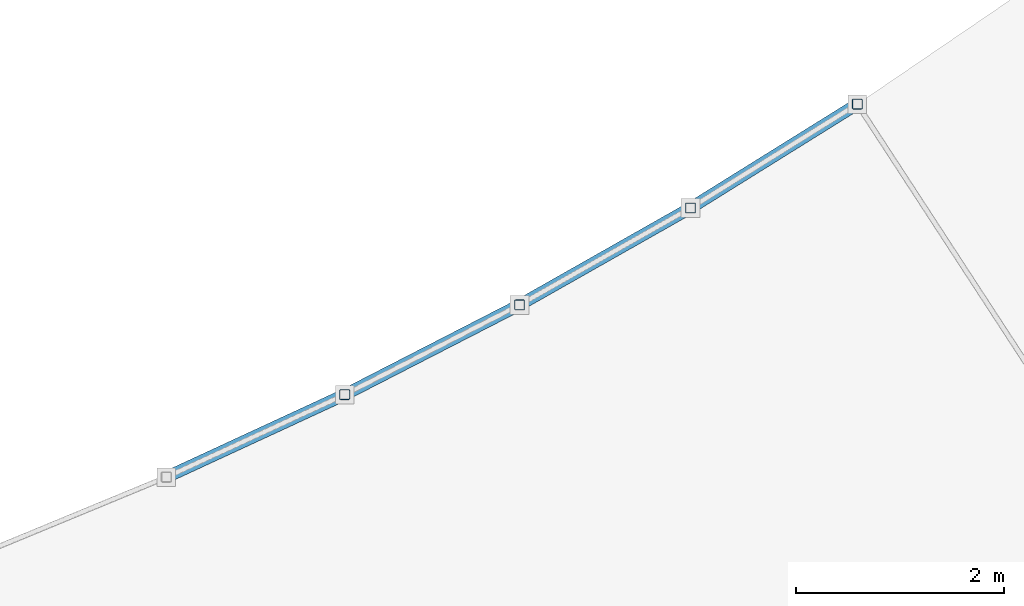
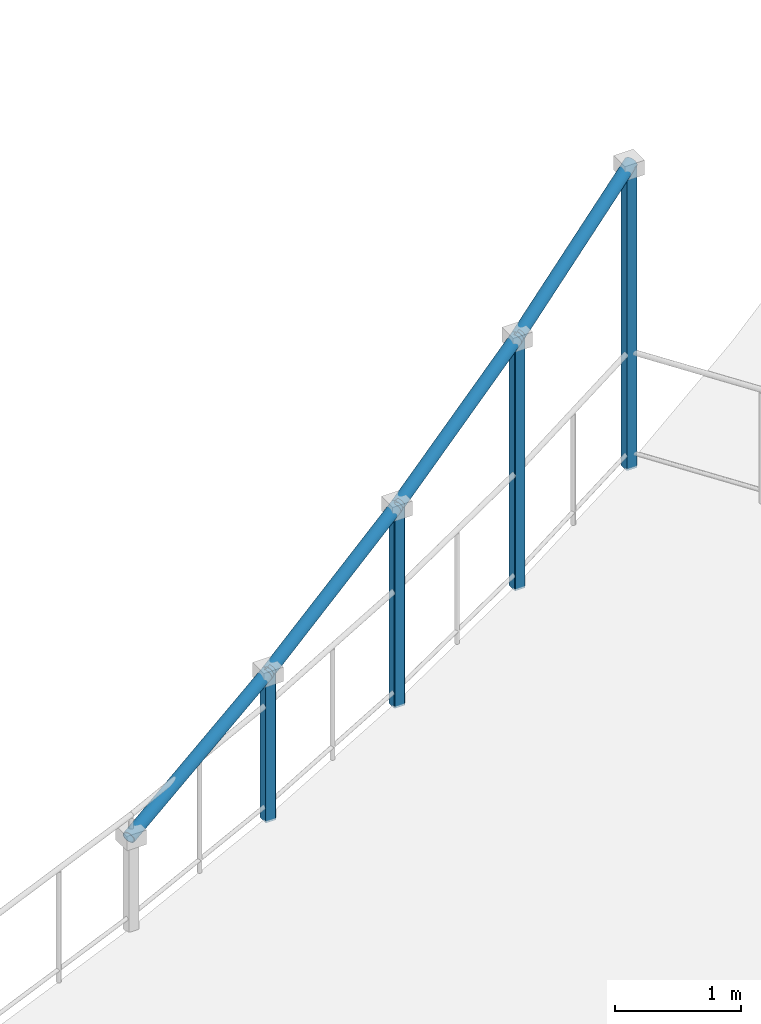
# One storey, part 9 of 58: 8 members.
"""IFC4 building model written with IfcOpenShell, lengths in metres."""

from ifc_helpers import new_model, si_unit, direction, frame, origin, origin_2d, place, context, subcontext, project, spatial, hollow_rectangle, hollow_circle, extrude, material, material_profile, profile_set, type_object, element, save


model = new_model("IFC4")

# Units and contexts
model_context = context("Model", 3, precision=1e-05, world=origin(), true_north=direction((0.0, 1.0)))
body_context = subcontext(model_context, "Body", "Model", "MODEL_VIEW")
ifc_project = project(units=[si_unit("LENGTHUNIT", "METRE"), si_unit("AREAUNIT", "SQUARE_METRE"), si_unit("VOLUMEUNIT", "CUBIC_METRE"), si_unit("PLANEANGLEUNIT", "RADIAN"), si_unit("MASSUNIT", "GRAM", prefix="KILO"), si_unit("POWERUNIT", "WATT"), si_unit("THERMODYNAMICTEMPERATUREUNIT", "KELVIN")], contexts=[model_context])

# Site, building, storey
site_placement = place(None, origin())
site = spatial("IfcSite", under=ifc_project, at=site_placement, CompositionType="ELEMENT")
building_placement = place(site_placement, origin())
building = spatial("IfcBuilding", under=site, at=building_placement, Name="Ruvembo Vaulted Housing Court", CompositionType="ELEMENT")
storey_placement = place(building_placement, frame((0.0, 0.0, 20.5)))
storey = spatial("IfcBuildingStorey", under=building, at=storey_placement, Name="L06", CompositionType="ELEMENT", Elevation=20.5)

# Members
ifc_material = material(Name="Steel S355J2", Category="steel")
ifc_material_profile_1 = material_profile(ifc_material, hollow_rectangle(XDim=0.10009765625, YDim=0.10009765625, WallThickness=0.00634765625, InnerFilletRadius=0.00634765625, OuterFilletRadius=0.0126953125, at=origin_2d()), Name="SHS 100x100x6.3")
ifc_profile_set_1 = profile_set([ifc_material_profile_1], Name="Steel S355J2")
member_type_1 = type_object("IfcMemberType", Name="MEM-FRM-SHS100", PredefinedType="STRUT", material=ifc_profile_set_1)
member_1_placement = place(storey_placement, frame((89.077392578125, 20.835205078125, -0.02001953125), z_axis=(0.0, 0.0, 1.0), x_axis=(1.0, 0.0, 0.0)))
element("IfcMember", 1, at=member_1_placement, inside=storey, type_object=member_type_1, Name="Scoop SC2 L06 Upswept Post 25A", PredefinedType="STRUT", context=body_context, shape_type="SweptSolid", body=[
    extrude(hollow_rectangle(XDim=0.10009765625, YDim=0.10009765625, WallThickness=0.00634765625, InnerFilletRadius=0.00634765625, OuterFilletRadius=0.0126953125, at=origin_2d()), origin(), (0.0, 0.0, 1.0), 1.419921875),
])
member_2_placement = place(storey_placement, frame((90.758056640625, 21.6982421875, -0.02001953125), z_axis=(0.0, 0.0, 1.0), x_axis=(1.0, 0.0, 0.0)))
element("IfcMember", 2, at=member_2_placement, inside=storey, type_object=member_type_1, Name="Scoop SC2 L06 Upswept Post 26A", PredefinedType="STRUT", context=body_context, shape_type="SweptSolid", body=[
    extrude(hollow_rectangle(XDim=0.10009765625, YDim=0.10009765625, WallThickness=0.00634765625, InnerFilletRadius=0.00634765625, OuterFilletRadius=0.0126953125, at=origin_2d()), origin(), (0.0, 0.0, 1.0), 1.919921875),
])
member_3_placement = place(storey_placement, frame((92.401611328125, 22.6298828125, -0.02001953125), z_axis=(0.0, 0.0, 1.0), x_axis=(1.0, 0.0, 0.0)))
element("IfcMember", 3, at=member_3_placement, inside=storey, type_object=member_type_1, Name="Scoop SC2 L06 Upswept Post 27A", PredefinedType="STRUT", context=body_context, shape_type="SweptSolid", body=[
    extrude(hollow_rectangle(XDim=0.10009765625, YDim=0.10009765625, WallThickness=0.00634765625, InnerFilletRadius=0.00634765625, OuterFilletRadius=0.0126953125, at=origin_2d()), origin(), (0.0, 0.0, 1.0), 2.419921875),
])
member_4_placement = place(storey_placement, frame((94.00537109375, 23.62841796875, -0.02001953125), z_axis=(0.0, 0.0, 1.0), x_axis=(1.0, 0.0, 0.0)))
element("IfcMember", 4, at=member_4_placement, inside=storey, type_object=member_type_1, Name="Scoop SC2 L06 Upswept Post 27B", PredefinedType="STRUT", context=body_context, shape_type="SweptSolid", body=[
    extrude(hollow_rectangle(XDim=0.10009765625, YDim=0.10009765625, WallThickness=0.00634765625, InnerFilletRadius=0.00634765625, OuterFilletRadius=0.0126953125, at=origin_2d()), origin(), (0.0, 0.0, 1.0), 2.919921875),
])
ifc_material_profile_2 = material_profile(ifc_material, hollow_circle(Radius=0.05712890625, WallThickness=0.00634765625, at=origin_2d()), Name="CHS 114.3x6.3")
ifc_profile_set_2 = profile_set([ifc_material_profile_2], Name="Steel S355J2")
member_type_2 = type_object("IfcMemberType", Name="MEM-STR-CHS114", PredefinedType="STRUT", material=ifc_profile_set_2)
for number, where, z_axis, x_axis, name in (
    (5, (87.33447265625, 20.029296875, 0.891845703125), (0.877466107699, 0.405710135818, 0.255836892443), (-0.41967700251, 0.907673517056, 0.0), "Scoop SC2 L06 Upswept Crest Tube 24"),
    (6, (89.0498046875, 20.821044921875, 1.391845703125), (0.859939989096, 0.441643114389, 0.255840916717), (-0.456847503316, 0.889545029054, 0.0), "Scoop SC2 L06 Upswept Crest Tube 25"),
):
    element("IfcMember", number, at=place(storey_placement, frame(where, z_axis=z_axis, x_axis=x_axis)), inside=storey, type_object=member_type_2, Name=name, PredefinedType="STRUT", context=body_context, shape_type="SweptSolid", body=[
        extrude(hollow_circle(Radius=0.05712890625, WallThickness=0.00634765625, at=origin_2d()), origin(), (0.0, 0.0, 1.0), 2.018310546875),
    ])
member_5_placement = place(storey_placement, frame((90.731201171875, 21.68310546875, 1.891845703125), z_axis=(0.840984772651, 0.476743525463, 0.255851955431), x_axis=(-0.493157801923, 0.869939872866, 0.0)))
element("IfcMember", 7, at=member_5_placement, inside=storey, type_object=member_type_2, Name="Scoop SC2 L06 Upswept Crest Tube 26", PredefinedType="STRUT", context=body_context, shape_type="SweptSolid", body=[
    extrude(hollow_circle(Radius=0.05712890625, WallThickness=0.00634765625, at=origin_2d()), origin(), (0.0, 0.0, 1.0), 2.01806640625),
])
member_6_placement = place(storey_placement, frame((92.375244140625, 22.613525390625, 2.391845703125), z_axis=(0.820632262171, 0.511005351168, 0.255805045614), x_axis=(-0.528592474199, 0.848875724838, 0.0)))
element("IfcMember", 8, at=member_6_placement, inside=storey, type_object=member_type_2, Name="Scoop SC2 L06 Upswept Crest Tube 27", PredefinedType="STRUT", context=body_context, shape_type="SweptSolid", body=[
    extrude(hollow_circle(Radius=0.05712890625, WallThickness=0.00634765625, at=origin_2d()), origin(), (0.0, 0.0, 1.0), 2.0185546875),
])

save(model, "model.ifc")
